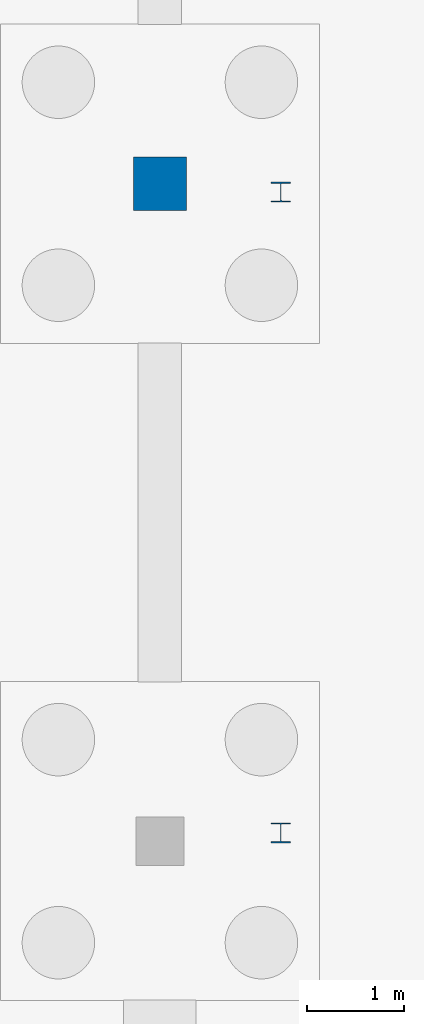
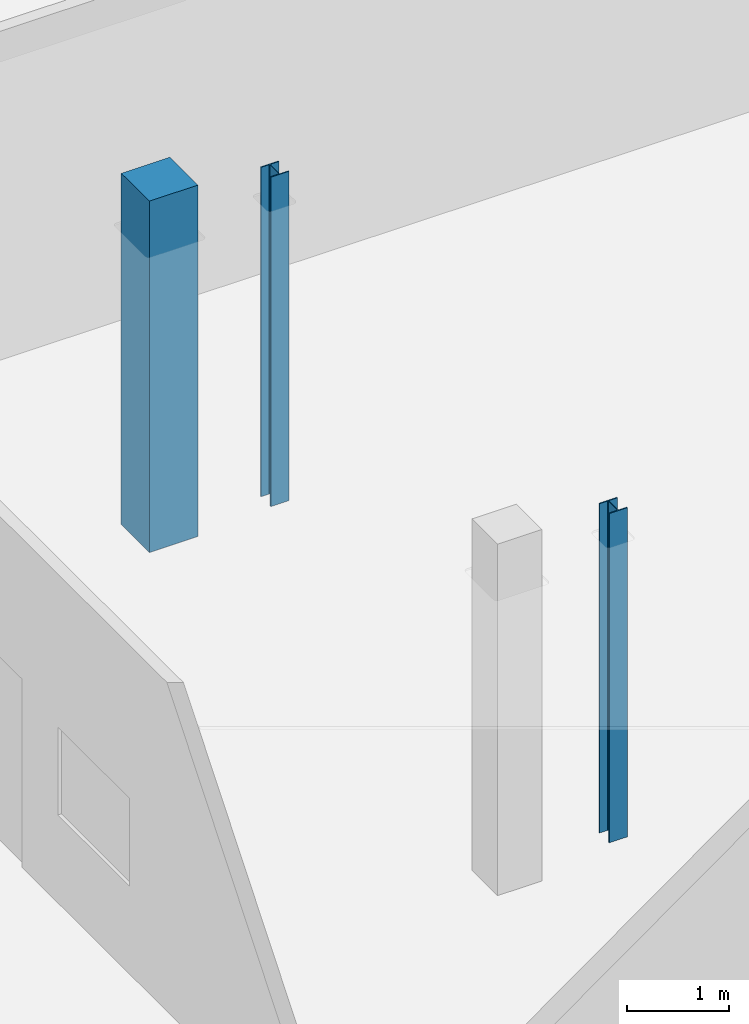
# One storey, part 24 of 93: 3 columns.
"""IFC4 building model written with IfcOpenShell, lengths in metres."""

from ifc_helpers import new_model, si_unit, direction, frame, origin, origin_2d, place, context, subcontext, project, spatial, rectangle, i_section, extrude, material, material_profile, profile_set, type_object, element, save


model = new_model("IFC4")

# Units and contexts
model_context = context("Model", 3, precision=1e-05, world=origin(), true_north=direction((0.0, 1.0)))
body_context = subcontext(model_context, "Body", "Model", "MODEL_VIEW")
ifc_project = project(units=[si_unit("LENGTHUNIT", "METRE"), si_unit("AREAUNIT", "SQUARE_METRE"), si_unit("VOLUMEUNIT", "CUBIC_METRE"), si_unit("PLANEANGLEUNIT", "RADIAN"), si_unit("MASSUNIT", "GRAM", prefix="KILO")], contexts=[model_context])

# Site, building, storey
site_placement = place(None, origin())
site = spatial("IfcSite", under=ifc_project, at=site_placement, CompositionType="ELEMENT")
building_placement = place(site_placement, origin())
building = spatial("IfcBuilding", under=site, at=building_placement, Name="Kelanivale Promenade Academy", CompositionType="ELEMENT")
storey_placement = place(building_placement, origin())
storey = spatial("IfcBuildingStorey", under=building, at=storey_placement, Name="L00", CompositionType="ELEMENT", Elevation=0.0)

# Columns
ifc_material_1 = material(Name="Concrete C40/50", Category="concrete")
ifc_material_profile_1 = material_profile(ifc_material_1, rectangle(XDim=0.550048828125, YDim=0.550048828125, at=origin_2d()), Name="RC-COL 550x550")
ifc_profile_set_1 = profile_set([ifc_material_profile_1], Name="Concrete C40/50")
column_type_1 = type_object("IfcColumnType", Name="C-04 RC-COL 550x550", PredefinedType="COLUMN", material=ifc_profile_set_1)
column_placement = place(storey_placement, frame((130.0, 59.60009765625, 0.0), z_axis=(0.0, 0.0, 1.0), x_axis=(1.0, 0.0, 0.0)))
element("IfcColumn", 1, at=column_placement, inside=storey, type_object=column_type_1, Name="Column C-04 at (130.0, 59.6) L00", PredefinedType="COLUMN", context=body_context, shape_type="SweptSolid", body=[
    extrude(rectangle(XDim=0.550048828125, YDim=0.550048828125, at=origin_2d()), origin(), (0.0, 0.0, 1.0), 4.199951171875),
])
ifc_material_2 = material(Name="Steel S355", Category="steel")
ifc_material_profile_2 = material_profile(ifc_material_2, i_section(OverallWidth=0.204345703125, OverallDepth=0.206298828125, WebThickness=0.0078125, FlangeThickness=0.012451171875, FilletRadius=0.01025390625, at=origin_2d()), Name="UC 203x203x52")
ifc_profile_set_2 = profile_set([ifc_material_profile_2], Name="Steel S355")
column_type_2 = type_object("IfcColumnType", Name="SC-01 UC 203x203x52", PredefinedType="COLUMN", material=ifc_profile_set_2)
for number, where, z_axis, x_axis, name in (
    (2, (131.25, 52.885986328125, 0.0), (0.0, 0.0, 1.0), (1.0, 0.0, 0.0), "Hall gallery support post AH-TR4"),
    (3, (131.25, 59.513916015625, 0.0), (0.0, 0.0, 1.0), (1.0, 0.0, 0.0), "Hall gallery support post AH-TR5"),
):
    element("IfcColumn", number, at=place(storey_placement, frame(where, z_axis=z_axis, x_axis=x_axis)), inside=storey, type_object=column_type_2, Name=name, PredefinedType="COLUMN", context=body_context, shape_type="SweptSolid", body=[
        extrude(i_section(OverallWidth=0.204345703125, OverallDepth=0.206298828125, WebThickness=0.0078125, FlangeThickness=0.012451171875, FilletRadius=0.01025390625, at=origin_2d()), origin(), (0.0, 0.0, 1.0), 3.93505859375),
    ])

save(model, "model.ifc")
